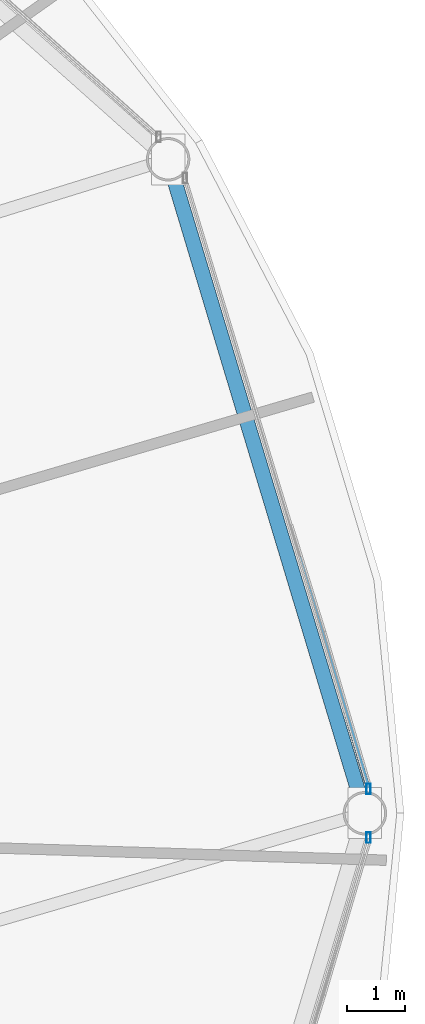
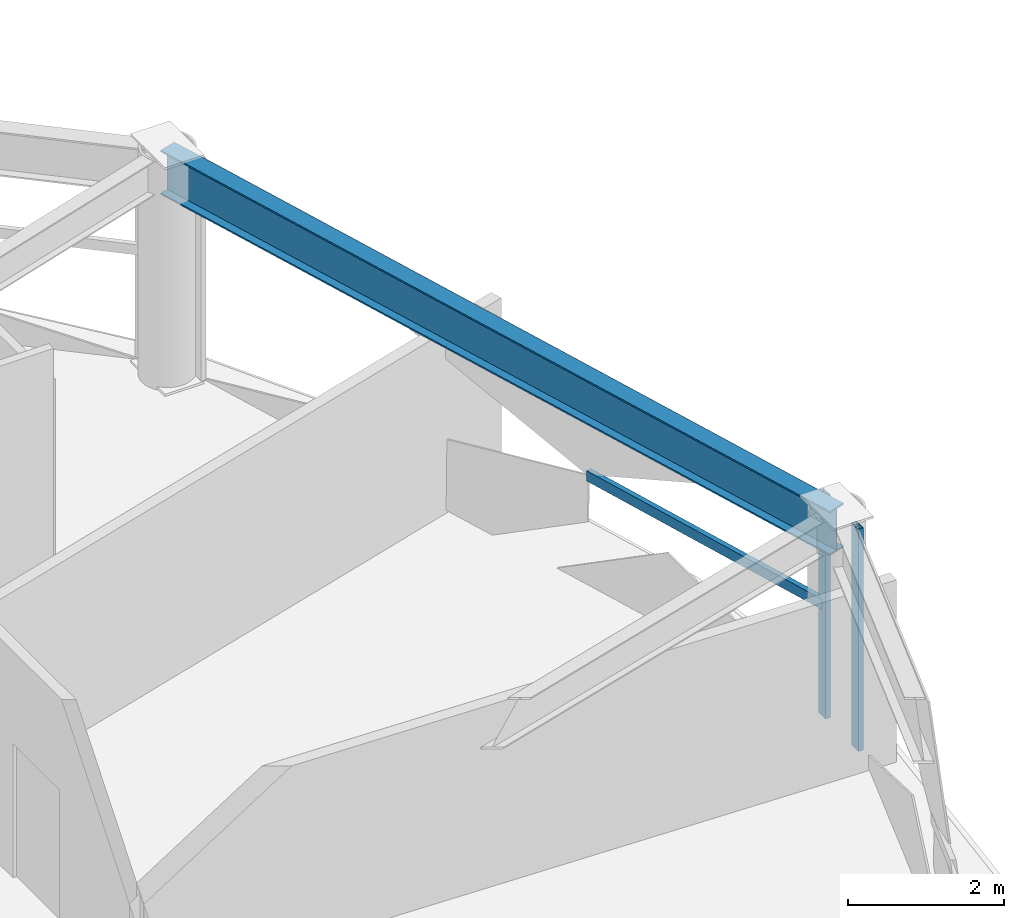
# One storey, part 13 of 31: 3 members, 1 beam, 2 elements without a shape of their own.
"""IFC4 building model written with IfcOpenShell, lengths in metres."""

from ifc_helpers import new_model, si_unit, direction, frame, origin, origin_2d, place, context, subcontext, project, spatial, hollow_rectangle, i_section, extrude, material, layer, layer_set, material_profile, profile_set, type_object, element, aggregate, save


model = new_model("IFC4")

# Units and contexts
model_context = context("Model", 3, precision=1e-05, world=origin(), true_north=direction((0.0, 1.0)))
body_context = subcontext(model_context, "Body", "Model", "MODEL_VIEW")
ifc_project = project(units=[si_unit("LENGTHUNIT", "METRE"), si_unit("AREAUNIT", "SQUARE_METRE"), si_unit("VOLUMEUNIT", "CUBIC_METRE"), si_unit("PLANEANGLEUNIT", "RADIAN"), si_unit("MASSUNIT", "GRAM", prefix="KILO")], contexts=[model_context])

# Site, building, storey
site_placement = place(None, origin())
site = spatial("IfcSite", under=ifc_project, at=site_placement, CompositionType="ELEMENT")
building_placement = place(site_placement, origin())
building = spatial("IfcBuilding", under=site, at=building_placement, Name="Vantalir Tower", CompositionType="ELEMENT")
storey_placement = place(building_placement, frame((0.0, 0.0, 115.949951171875)))
storey = spatial("IfcBuildingStorey", under=building, at=storey_placement, Name="L28", CompositionType="ELEMENT", Elevation=115.949951171875)

# Beam
ifc_material_1 = material(Name="Steel S460", Category="steel")
ifc_material_profile_1 = material_profile(ifc_material_1, i_section(OverallWidth=0.256103515625, OverallDepth=0.693115234375, WebThickness=0.014404296875, FlangeThickness=0.023681640625, at=origin_2d()), Name="Steel S460")
ifc_profile_set_1 = profile_set([ifc_material_profile_1], Name="Steel S460")
beam_type = type_object("IfcBeamType", Name="BM-RG-686x254", PredefinedType="USERDEFINED", material=ifc_profile_set_1)
beam_placement = place(storey_placement, frame((56.840087890625, 25.0, 3.22314453125), z_axis=(-0.288136680777, 0.957589292542, 0.0), x_axis=(-0.957589292542, -0.288136680777, 0.0)))
element("IfcBeam", 1, at=beam_placement, inside=storey, type_object=beam_type, Name="L28 Circumferential Ring Girder 01", ObjectType="GIRDER", PredefinedType="USERDEFINED", context=body_context, shape_type="SweptSolid", body=[
    extrude(i_section(OverallWidth=0.256103515625, OverallDepth=0.693115234375, WebThickness=0.014404296875, FlangeThickness=0.023681640625, at=origin_2d()), origin(), (0.0, 0.0, 1.0), 11.78271484375),
])

# Curtain wall, member
ifc_material_2 = material(Name="Champagne-silver PVDF aluminium and double-silver Low-E glass", Category="aluminium")
ifc_layer = layer(ifc_material_2, 0.199951171875)
ifc_layer_set = layer_set([ifc_layer], Name="Champagne-silver PVDF aluminium and double-silver Low-E glass")
curtain_wall_type = type_object("IfcCurtainWallType", Name="CW-DIAMOND-Z2", PredefinedType="USERDEFINED", material=ifc_layer_set)
curtain_wall_1_placement = place(storey_placement, origin())
curtain_wall_1 = element("IfcCurtainWall", 2, at=curtain_wall_1_placement, inside=storey, type_object=curtain_wall_type, Name="L28 Quilted Pyramid-Diamond Curtain Wall S01", ObjectType="UNITISED CURTAIN WALL", PredefinedType="USERDEFINED")
ifc_material_3 = material(Name="Champagne-silver PVDF aluminium 6063-T6", Category="aluminium")
ifc_material_profile_2 = material_profile(ifc_material_3, hollow_rectangle(XDim=0.074951171875, YDim=0.179931640625, WallThickness=0.00390625, at=origin_2d()), Name="Champagne-silver PVDF aluminium 6063-T6")
ifc_profile_set_2 = profile_set([ifc_material_profile_2], Name="Champagne-silver PVDF aluminium 6063-T6")
member_type_1 = type_object("IfcMemberType", Name="CWM-180x75", PredefinedType="MULLION", material=ifc_profile_set_2)
member_1_placement = place(storey_placement, frame((56.903076171875, 25.4208984375, 0.045166015625), z_axis=(0.0, 0.0, 1.0), x_axis=(1.0, 0.0, 0.0)))
member_1 = element("IfcMember", 3, at=member_1_placement, type_object=member_type_1, Name="CW-L28-S01 Mullion 1", PredefinedType="MULLION", context=body_context, shape_type="SweptSolid", body=[
    extrude(hollow_rectangle(XDim=0.074951171875, YDim=0.179931640625, WallThickness=0.00390625, at=origin_2d()), origin(), (0.0, 0.0, 1.0), 3.47998046875),
])

curtain_wall_2_placement = place(storey_placement, origin())
curtain_wall_2 = element("IfcCurtainWall", 4, at=curtain_wall_2_placement, inside=storey, type_object=curtain_wall_type, Name="L28 Quilted Pyramid-Diamond Curtain Wall S12", ObjectType="UNITISED CURTAIN WALL", PredefinedType="USERDEFINED")
member_2_placement = place(storey_placement, frame((56.903076171875, 24.5791015625, 0.045166015625), z_axis=(0.0, 0.0, 1.0), x_axis=(1.0, 0.0, 0.0)))
member_2 = element("IfcMember", 5, at=member_2_placement, type_object=member_type_1, Name="CW-L28-S12 Mullion 2", PredefinedType="MULLION", context=body_context, shape_type="SweptSolid", body=[
    extrude(hollow_rectangle(XDim=0.074951171875, YDim=0.179931640625, WallThickness=0.00390625, at=origin_2d()), origin(), (0.0, 0.0, 1.0), 3.47998046875),
])
aggregate(curtain_wall_2, [member_2])

# Member
ifc_material_profile_3 = material_profile(ifc_material_3, hollow_rectangle(XDim=0.074951171875, YDim=0.159912109375, WallThickness=0.00390625, at=origin_2d()), Name="Champagne-silver PVDF aluminium 6063-T6")
ifc_profile_set_3 = profile_set([ifc_material_profile_3], Name="Champagne-silver PVDF aluminium 6063-T6")
member_type_2 = type_object("IfcMemberType", Name="CWT-160x75", PredefinedType="USERDEFINED", material=ifc_profile_set_3)
member_3_placement = place(storey_placement, frame((56.903076171875, 25.4208984375, 1.78515625), z_axis=(-0.282191634129, 0.95935805705, 0.0), x_axis=(-0.95935805705, -0.282191634129, 0.0)))
member_3 = element("IfcMember", 6, at=member_3_placement, type_object=member_type_2, Name="CW-L28-S01 Pyramid Fold Ridge Transom", ObjectType="TRANSOM", PredefinedType="USERDEFINED", context=body_context, shape_type="SweptSolid", body=[
    extrude(hollow_rectangle(XDim=0.074951171875, YDim=0.159912109375, WallThickness=0.00390625, at=origin_2d()), origin(), (0.0, 0.0, 1.0), 4.177734375),
])

aggregate(curtain_wall_1, [member_1, member_3])

save(model, "model.ifc")
